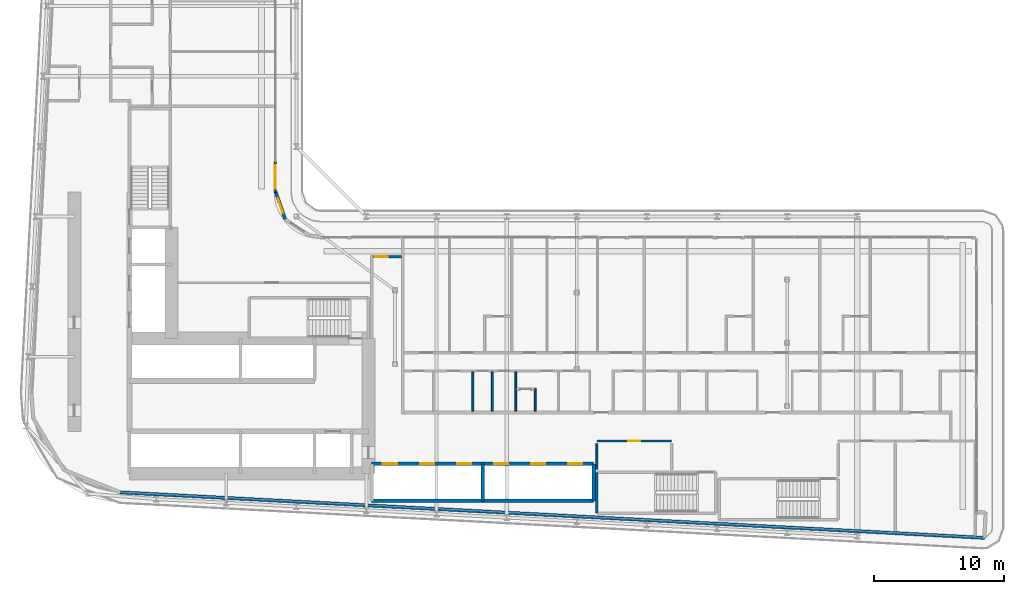
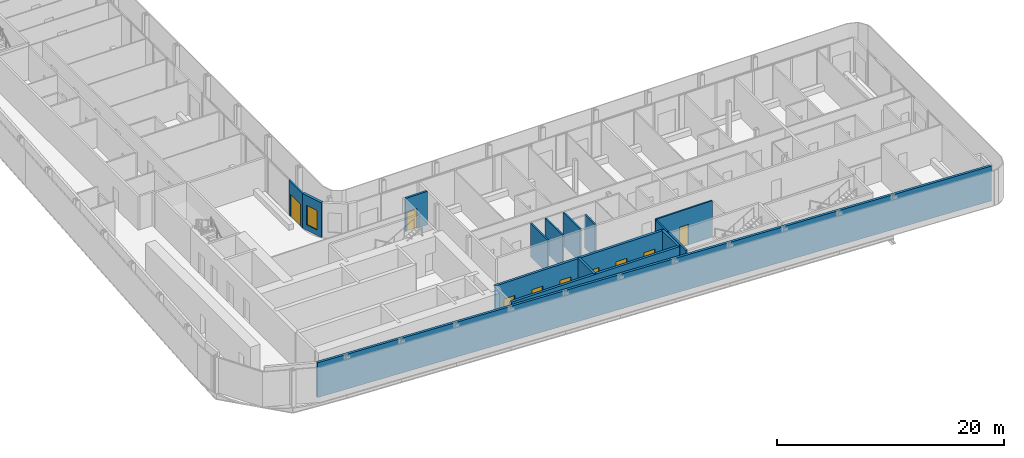
# One storey, part 15 of 29: 15 walls, 9 doors, 1 window, 10 openings.
"""IFC4 building model written with IfcOpenShell, lengths in metres."""

import ifcopenshell
import ifcopenshell.guid

model = None  # the IFC model being written
_history = None  # IfcOwnerHistory: only IFC2X3 demands one
_inside = {}  # id of a spatial element -> (the spatial element, [elements in it])
_under = {}  # id of a project, library or spatial element -> (it, [spatial elements below it])
_declared = {}  # id of a project -> (the project, [libraries it declares])
_typed = {}  # id of a type object -> (the type object, [elements of that type])
_made_of = {}  # id of a material, layer set ... -> (it, [elements and type objects made of it])


def new_model(schema):
    """Start an empty IFC model of exactly this schema.

    Asked for "IFC4X3", IfcOpenShell would pick the latest addendum, in which some entities
    have other attributes; the version numbers below select the first issue.
    IFC2X3 requires an IfcOwnerHistory on every rooted entity: one is made here for all.
    """
    global model, _history
    if schema == "IFC4X3":
        model = ifcopenshell.file(schema_version=(4, 3, 0, 0))
    else:
        model = ifcopenshell.file(schema=schema)
    _inside.clear()
    _under.clear()
    _declared.clear()
    _typed.clear()
    _made_of.clear()
    _history = None
    if model.schema == "IFC2X3":
        org = make("IfcOrganization", Name="unknown")
        user = make(
            "IfcPersonAndOrganization",
            ThePerson=make("IfcPerson", FamilyName="unknown"),
            TheOrganization=org,
        )
        app = make(
            "IfcApplication",
            ApplicationDeveloper=org,
            Version="unknown",
            ApplicationFullName="unknown",
            ApplicationIdentifier="unknown",
        )
        _history = make(
            "IfcOwnerHistory",
            OwningUser=user,
            OwningApplication=app,
            ChangeAction="ADDED",
            CreationDate=0,
        )
    return model


def make(cls, **values):
    """One entity of the class cls with the attributes given. An attribute that is None is left unset."""
    return model.create_entity(
        cls, **{name: value for name, value in values.items() if value is not None}
    )


def rooted(cls, **values):
    """An entity with a GlobalId (a new one), such as an element, a storey or a relation."""
    return make(cls, GlobalId=ifcopenshell.guid.new(), OwnerHistory=_history, **values)


def si_unit(unit_type, name, prefix=None):
    """IfcSIUnit, for example si_unit("LENGTHUNIT", "METRE", prefix="MILLI")."""
    return make("IfcSIUnit", UnitType=unit_type, Prefix=prefix, Name=name)


def assignment(units):
    """IfcUnitAssignment: the units of a project."""
    return None if units is None else make("IfcUnitAssignment", Units=units)


def point(xyz):
    """IfcCartesianPoint."""
    return None if xyz is None else make("IfcCartesianPoint", Coordinates=xyz)


def direction(xyz):
    """IfcDirection."""
    return None if xyz is None else make("IfcDirection", DirectionRatios=xyz)


def frame(location, z_axis=None, x_axis=None):
    """IfcAxis2Placement3D, a coordinate frame: its origin and axes. An axis left out is left unset."""
    return make(
        "IfcAxis2Placement3D",
        Location=point(location),
        Axis=direction(z_axis),
        RefDirection=direction(x_axis),
    )


def frame_2d(location, x_axis=None):
    """IfcAxis2Placement2D, a coordinate frame in the plane: its origin and x axis."""
    return make(
        "IfcAxis2Placement2D", Location=point(location), RefDirection=direction(x_axis)
    )


def origin():
    """The frame at (0, 0, 0) with its axes left unset."""
    return frame((0.0, 0.0, 0.0))


def place(relative_to, where):
    """IfcLocalPlacement: puts the frame where relative to a parent placement (None: the world)."""
    return make(
        "IfcLocalPlacement", PlacementRelTo=relative_to, RelativePlacement=where
    )


def context(
    kind, dimensions, precision=None, world=None, true_north=None, identifier=None
):
    """IfcGeometricRepresentationContext, for example the 3D "Model" context."""
    return make(
        "IfcGeometricRepresentationContext",
        ContextIdentifier=identifier,
        ContextType=kind,
        CoordinateSpaceDimension=dimensions,
        Precision=precision,
        WorldCoordinateSystem=world,
        TrueNorth=true_north,
    )


def subcontext(parent, identifier, kind, view, scale=None):
    """IfcGeometricRepresentationSubContext, for example "Body" below "Model"."""
    return make(
        "IfcGeometricRepresentationSubContext",
        ContextIdentifier=identifier,
        ContextType=kind,
        ParentContext=parent,
        TargetScale=scale,
        TargetView=view,
    )


def project(units=None, contexts=None):
    """IfcProject with its units and contexts."""
    return rooted(
        "IfcProject",
        Name="project",
        RepresentationContexts=contexts,
        UnitsInContext=assignment(units),
    )


def spatial(cls, under=None, at=None, **own):
    """A site, building, storey or space (cls), placed at a placement, below another one or the project."""
    s = rooted(cls, ObjectPlacement=at, **own)
    if under is not None:
        _under.setdefault(under.id(), (under, []))[1].append(s)
    return s


def profile(cls, at=None, kind="AREA", **sizes):
    """A parametric profile (cls). Its sizes go by their IFC names, for example OverallWidth=200.0."""
    return make(cls, ProfileType=kind, Position=at, **sizes)


def rectangle(**sizes):
    """IfcRectangleProfileDef."""
    return profile("IfcRectangleProfileDef", **sizes)


def extrude(swept, where, along, depth):
    """IfcExtrudedAreaSolid: the profile swept, set in the frame where, extruded along a direction by depth."""
    return make(
        "IfcExtrudedAreaSolid",
        SweptArea=swept,
        Position=where,
        ExtrudedDirection=direction(along),
        Depth=depth,
    )


def shape(context_of_items, identifier, shape_type, items):
    """IfcShapeRepresentation: the items that make up one representation, for example the "Body"."""
    return make(
        "IfcShapeRepresentation",
        ContextOfItems=context_of_items,
        RepresentationIdentifier=identifier,
        RepresentationType=shape_type,
        Items=items,
    )


def source(mapping_origin, context_of_items, identifier, shape_type, items):
    """IfcRepresentationMap: a shape defined once, which mapped items show again and again."""
    return make(
        "IfcRepresentationMap",
        MappingOrigin=mapping_origin,
        MappedRepresentation=shape(context_of_items, identifier, shape_type, items),
    )


def transform(
    local_origin,
    x_axis=None,
    y_axis=None,
    z_axis=None,
    scale=None,
    scale2=None,
    scale3=None,
    uniform=True,
):
    """IfcCartesianTransformationOperator3D, or its non-uniform kind. x_axis, y_axis, z_axis: its Axis1, 2, 3."""
    if uniform:
        return make(
            "IfcCartesianTransformationOperator3D",
            Axis1=direction(x_axis),
            Axis2=direction(y_axis),
            LocalOrigin=point(local_origin),
            Scale=scale,
            Axis3=direction(z_axis),
        )
    return make(
        "IfcCartesianTransformationOperator3DnonUniform",
        Axis1=direction(x_axis),
        Axis2=direction(y_axis),
        LocalOrigin=point(local_origin),
        Scale=scale,
        Axis3=direction(z_axis),
        Scale2=scale2,
        Scale3=scale3,
    )


def mapped(mapping_source, mapping_target):
    """IfcMappedItem: shows the shape of a source again, moved by a transform."""
    return make(
        "IfcMappedItem", MappingSource=mapping_source, MappingTarget=mapping_target
    )


def material(Name=None, Category=None):
    """IfcMaterial."""
    return make("IfcMaterial", Name=Name, Category=Category)


def layer(
    of_material, thickness, ventilated=None, Name=None, Category=None, Priority=None
):
    """IfcMaterialLayer: one layer of a wall or slab, of a material (None: an air gap)."""
    return make(
        "IfcMaterialLayer",
        Material=of_material,
        LayerThickness=thickness,
        IsVentilated=ventilated,
        Name=Name,
        Category=Category,
        Priority=Priority,
    )


def layer_set(layers, Name=None):
    """IfcMaterialLayerSet."""
    return make("IfcMaterialLayerSet", MaterialLayers=layers, LayerSetName=Name)


def made_of(thing, what):
    """Note that an element or type object is made of a material, layer set ...; save() writes the relation."""
    if what is not None:
        _made_of.setdefault(what.id(), (what, []))[1].append(thing)
    return thing


def type_object(cls, material=None, **own):
    """A type object (cls), such as IfcWallType, which elements share."""
    return made_of(rooted(cls, **own), material)


def element(
    cls,
    number,
    at=None,
    inside=None,
    cuts=None,
    type_object=None,
    material=None,
    context=None,
    identifier="Body",
    shape_type=None,
    held_by="IfcProductDefinitionShape",
    body=None,
    shapes=None,
    **own,
):
    """One element of the class cls, such as IfcWall. Its Tag is "e" and its number.

    at: its placement. inside: the storey or other place that contains it. cuts: it is an
    opening in that element (IfcRelVoidsElement). A single representation is given by context,
    identifier, shape_type and body (its items); several are given by shapes. held_by: the class
    of the entity that holds the representations. save() writes the other relations.
    """
    e = rooted(cls, Tag="e%d" % number, ObjectPlacement=at, **own)
    if body is not None:
        shapes = [shape(context, identifier, shape_type, body)]
    if shapes is not None:
        e.Representation = make(held_by, Representations=shapes)
    if inside is not None:
        _inside.setdefault(inside.id(), (inside, []))[1].append(e)
    if cuts is not None:
        rooted(
            "IfcRelVoidsElement", RelatingBuildingElement=cuts, RelatedOpeningElement=e
        )
    if type_object is not None:
        _typed.setdefault(type_object.id(), (type_object, []))[1].append(e)
    return made_of(e, material)


def fill(opening, filler):
    """IfcRelFillsElement: the door or window that sits in an opening."""
    return rooted(
        "IfcRelFillsElement",
        RelatingOpeningElement=opening,
        RelatedBuildingElement=filler,
    )


def aggregate(whole, parts):
    """IfcRelAggregates: a whole, such as a stair, and the parts it consists of."""
    return rooted("IfcRelAggregates", RelatingObject=whole, RelatedObjects=parts)


def save(model, path):
    """Write the relations noted so far, then the file.

    IfcRelAggregates (storeys below a building ...), IfcRelContainedInSpatialStructure (elements
    in a storey), IfcRelDefinesByType, IfcRelAssociatesMaterial and IfcRelDeclares: one each for
    every whole, place, type object, material and project.
    """
    for whole, parts in _under.values():
        aggregate(whole, parts)
    for where, things in _inside.values():
        rooted(
            "IfcRelContainedInSpatialStructure",
            RelatedElements=things,
            RelatingStructure=where,
        )
    for kind, things in _typed.values():
        rooted("IfcRelDefinesByType", RelatedObjects=things, RelatingType=kind)
    for what, things in _made_of.values():
        rooted("IfcRelAssociatesMaterial", RelatedObjects=things, RelatingMaterial=what)
    for by, libraries in _declared.values():
        rooted("IfcRelDeclares", RelatingContext=by, RelatedDefinitions=libraries)
    model.write(path)


model = new_model("IFC4")

# Units and contexts
model_context = context("Model", 3, precision=1e-05, world=origin(), true_north=direction((0.0, 1.0)))
body_context = subcontext(model_context, "Body", "Model", "MODEL_VIEW")
ifc_project = project(units=[si_unit("LENGTHUNIT", "METRE"), si_unit("AREAUNIT", "SQUARE_METRE"), si_unit("VOLUMEUNIT", "CUBIC_METRE"), si_unit("PLANEANGLEUNIT", "RADIAN"), si_unit("MASSUNIT", "GRAM", prefix="KILO")], contexts=[model_context])

# Site, building, storey
site_placement = place(None, origin())
site = spatial("IfcSite", under=ifc_project, at=site_placement, CompositionType="ELEMENT")
building_placement = place(site_placement, origin())
building = spatial("IfcBuilding", under=site, at=building_placement, Name="Kheshtan School and Residences Tower", CompositionType="ELEMENT")
storey_placement = place(building_placement, frame((0.0, 0.0, 69.5)))
storey = spatial("IfcBuildingStorey", under=building, at=storey_placement, Name="L16", CompositionType="ELEMENT", Elevation=69.5)

# Wall, opening, door
ifc_material_1 = material(Name="Gypsum board on steel studs with fire boards", Category="steel")
ifc_layer_1 = layer(ifc_material_1, 0.199951171875)
ifc_layer_set_1 = layer_set([ifc_layer_1], Name="Corridor wall 200")
wall_type_1 = type_object("IfcWallType", Name="Corridor wall 200", PredefinedType="PARTITIONING", material=ifc_layer_set_1)
wall_1_placement = place(storey_placement, frame((53.5, 42.5, 0.0), z_axis=(0.0, 0.0, 1.0), x_axis=(1.0, 0.0, 0.0)))
wall_1 = element("IfcWall", 1, at=wall_1_placement, inside=storey, type_object=wall_type_1, Name="Partition L16-039", PredefinedType="PARTITIONING", context=body_context, shape_type="SweptSolid", body=[
    extrude(rectangle(XDim=2.199951171875, YDim=0.199951171875, at=frame_2d((1.10009765625, 0.0))), origin(), (0.0, 0.0, 1.0), 3.60009765625),
])
opening_1_placement = place(wall_1_placement, frame((0.14990234375, 0.0, 0.0)))
opening_1 = element("IfcOpeningElement", 2, at=opening_1_placement, cuts=wall_1, Name="Opening D14-058", PredefinedType="OPENING", context=body_context, shape_type="SweptSolid", body=[
    extrude(rectangle(XDim=1.0, YDim=2.10009765625, at=frame_2d((0.5, 1.050048828125))), frame((0.0, 0.10986328125, 0.0), z_axis=(0.0, -1.0, 0.0), x_axis=(1.0, 0.0, 0.0)), (0.0, 0.0, 1.0), 0.219970703125),
])
ifc_material_2 = material(Name="Steel-framed fire-resisting door leaf", Category="steel")
door_type_1 = type_object("IfcDoorType", Name="Fire door FD60 1000 x 2100", OperationType="SINGLE_SWING_LEFT", PredefinedType="DOOR", material=ifc_material_2)
shared_shape_1 = source(origin(), body_context, "Body", "SweptSolid", [
    extrude(rectangle(XDim=1.0, YDim=2.10009765625, at=frame_2d((0.5, 1.050048828125))), frame((0.0, 0.02490234375, 0.0), z_axis=(0.0, -1.0, 0.0), x_axis=(1.0, 0.0, 0.0)), (0.0, 0.0, 1.0), 0.050048828125),
])
door_1_placement = place(opening_1_placement, origin())
door_1 = element("IfcDoor", 3, at=door_1_placement, inside=storey, type_object=door_type_1, Name="Door D14-058", OperationType="SINGLE_SWING_RIGHT", OverallHeight=2.10009765625, OverallWidth=1.0, PredefinedType="DOOR", context=body_context, shape_type="MappedRepresentation", body=[
    mapped(shared_shape_1, transform((0.0, 0.0, 0.0), x_axis=(1.0, 0.0, 0.0), y_axis=(0.0, 1.0, 0.0), z_axis=(0.0, 0.0, 1.0), scale=1.0)),
])
fill(opening_1, door_1)

# Wall, opening, window
ifc_material_3 = material(Name="Concrete C40/50 with ceramic cladding and mineral wool insulation", Category="concrete")
ifc_layer_2 = layer(ifc_material_3, 0.25)
ifc_layer_set_2 = layer_set([ifc_layer_2], Name="External wall 250 ceramic clad")
wall_type_2 = type_object("IfcWallType", Name="External wall 250 ceramic clad", PredefinedType="SOLIDWALL", material=ifc_layer_set_2)
wall_2_placement = place(storey_placement, frame((46.01806640625, 47.470947265625, 0.0), z_axis=(0.0, 0.0, 1.0), x_axis=(0.328791208903, -0.944402637093, 0.0)))
wall_2 = element("IfcWall", 4, at=wall_2_placement, inside=storey, type_object=wall_type_2, Name="External wall L16 9", PredefinedType="SOLIDWALL", context=body_context, shape_type="SweptSolid", body=[
    extrude(rectangle(XDim=2.20458984375, YDim=0.25, at=frame_2d((1.102294921875, 0.0))), origin(), (0.0, 0.0, 1.0), 3.75),
])
opening_2_placement = place(wall_2_placement, frame((0.5029296875, 0.0, 0.60009765625)))
opening_2 = element("IfcOpeningElement", 5, at=opening_2_placement, cuts=wall_2, Name="Opening WN-E", PredefinedType="OPENING", context=body_context, shape_type="SweptSolid", body=[
    extrude(rectangle(XDim=1.199951171875, YDim=2.10009765625, at=frame_2d((0.60009765625, 1.050048828125))), frame((0.0, 0.135009765625, 0.0), z_axis=(0.0, -1.0, 0.0), x_axis=(1.0, 0.0, 0.0)), (0.0, 0.0, 1.0), 0.27001953125),
])
ifc_material_4 = material(Name="Clear low-e glass in thermally broken aluminium frame", Category="aluminium")
window_type = type_object("IfcWindowType", Name="Window WN-E", PartitioningType="SINGLE_PANEL", PredefinedType="WINDOW", material=ifc_material_4)
shared_shape_2 = source(origin(), body_context, "Body", "SweptSolid", [
    extrude(rectangle(XDim=1.199951171875, YDim=2.10009765625, at=frame_2d((0.60009765625, 1.050048828125))), frame((0.0, 0.030029296875, 0.0), z_axis=(0.0, -1.0, 0.0), x_axis=(1.0, 0.0, 0.0)), (0.0, 0.0, 1.0), 0.06005859375),
])
window_placement = place(opening_2_placement, origin())
window = element("IfcWindow", 6, at=window_placement, inside=storey, type_object=window_type, Name="Window L16 9", OverallHeight=2.10009765625, OverallWidth=1.199951171875, PartitioningType="SINGLE_PANEL", PredefinedType="WINDOW", context=body_context, shape_type="MappedRepresentation", body=[
    mapped(shared_shape_2, transform((0.0, 0.0, 0.0), x_axis=(1.0, 0.0, 0.0), y_axis=(0.0, 1.0, 0.0), z_axis=(0.0, 0.0, 1.0), scale=1.0)),
])
fill(opening_2, window)

# Wall
wall_3_placement = place(storey_placement, frame((100.5859375, 20.85009765625, 0.0), z_axis=(0.0, 0.0, 1.0), x_axis=(-0.99861746497, 0.052565755559, 0.0)))
element("IfcWall", 7, at=wall_3_placement, inside=storey, type_object=wall_type_2, Name="External wall L16 16", PredefinedType="SOLIDWALL", context=body_context, shape_type="SweptSolid", body=[
    extrude(rectangle(XDim=66.638916015625, YDim=0.25, at=frame_2d((33.3193359375, 0.0))), origin(), (0.0, 0.0, 1.0), 3.75),
])

# Wall, opening, door
ifc_material_5 = material(Name="Aluminium frame wall with insulated infill", Category="aluminium")
ifc_layer_3 = layer(ifc_material_5, 0.14990234375)
ifc_layer_set_3 = layer_set([ifc_layer_3], Name="Glazing frame wall 150")
wall_type_3 = type_object("IfcWallType", Name="Glazing frame wall 150", PredefinedType="SOLIDWALL", material=ifc_layer_set_3)
wall_4_placement = place(storey_placement, frame((45.97509765625, 49.830078125, 0.0), z_axis=(0.0, 0.0, 1.0), x_axis=(0.0, -1.0, 0.0)))
wall_4 = element("IfcWall", 8, at=wall_4_placement, inside=storey, type_object=wall_type_3, Name="Balcony door wall L16 8.5", PredefinedType="SOLIDWALL", context=body_context, shape_type="SweptSolid", body=[
    extrude(rectangle(XDim=2.400146484375, YDim=0.14990234375, at=frame_2d((1.2001953125, 0.0))), origin(), (0.0, 0.0, 1.0), 3.75),
])
opening_3_placement = place(wall_4_placement, frame((0.300048828125, 0.0, 0.0)))
opening_3 = element("IfcOpeningElement", 9, at=opening_3_placement, cuts=wall_4, Name="Opening BD", PredefinedType="OPENING", context=body_context, shape_type="SweptSolid", body=[
    extrude(rectangle(XDim=1.800048828125, YDim=2.39990234375, at=frame_2d((0.89990234375, 1.199951171875))), frame((0.0, 0.0849609375, 0.0), z_axis=(0.0, -1.0, 0.0), x_axis=(1.0, 0.0, 0.0)), (0.0, 0.0, 1.0), 0.169921875),
])
door_type_2 = type_object("IfcDoorType", Name="Balcony sliding door", OperationType="SLIDING_TO_LEFT", PredefinedType="DOOR", material=ifc_material_4)
shared_shape_3 = source(origin(), body_context, "Body", "SweptSolid", [
    extrude(rectangle(XDim=1.800048828125, YDim=2.39990234375, at=frame_2d((0.89990234375, 1.199951171875))), frame((0.0, 0.02490234375, 0.0), z_axis=(0.0, -1.0, 0.0), x_axis=(1.0, 0.0, 0.0)), (0.0, 0.0, 1.0), 0.050048828125),
])
door_2_placement = place(opening_3_placement, origin())
door_2 = element("IfcDoor", 10, at=door_2_placement, inside=storey, type_object=door_type_2, Name="Balcony door L16 8.5", OperationType="SLIDING_TO_LEFT", OverallHeight=2.39990234375, OverallWidth=1.800048828125, PredefinedType="DOOR", context=body_context, shape_type="MappedRepresentation", body=[
    mapped(shared_shape_3, transform((0.0, 0.0, 0.0), x_axis=(1.0, 0.0, 0.0), y_axis=(0.0, 1.0, 0.0), z_axis=(0.0, 0.0, 1.0), scale=1.0)),
])
fill(opening_3, door_2)

ifc_material_6 = material(Name="Fire-board shaft wall system")
ifc_layer_4 = layer(ifc_material_6, 0.14990234375)
ifc_layer_set_4 = layer_set([ifc_layer_4], Name="Service room wall 150")
wall_type_4 = type_object("IfcWallType", Name="Service room wall 150", PredefinedType="PARTITIONING", material=ifc_layer_set_4)
wall_5_placement = place(storey_placement, frame((70.75, 28.300048828125, 0.0), z_axis=(0.0, 0.0, 1.0), x_axis=(1.0, 0.0, 0.0)))
wall_5 = element("IfcWall", 11, at=wall_5_placement, inside=storey, type_object=wall_type_4, Name="Service room wall", PredefinedType="PARTITIONING", context=body_context, shape_type="SweptSolid", body=[
    extrude(rectangle(XDim=5.760009765625, YDim=0.14990234375, at=frame_2d((2.8798828125, 0.0))), origin(), (0.0, 0.0, 1.0), 3.89990234375),
])
opening_4_placement = place(wall_5_placement, frame((2.429931640625, 0.0, 0.0)))
opening_4 = element("IfcOpeningElement", 12, at=opening_4_placement, cuts=wall_5, Name="Opening SR90", PredefinedType="OPENING", context=body_context, shape_type="SweptSolid", body=[
    extrude(rectangle(XDim=0.89990234375, YDim=2.199951171875, at=frame_2d((0.449951171875, 1.10009765625))), frame((0.0, 0.0849609375, 0.0), z_axis=(0.0, -1.0, 0.0), x_axis=(1.0, 0.0, 0.0)), (0.0, 0.0, 1.0), 0.169921875),
])
ifc_material_7 = material(Name="Steel door leaf, galvanised", Category="steel")
door_type_3 = type_object("IfcDoorType", Name="Service room door 900 steel 90 min", OperationType="SINGLE_SWING_LEFT", PredefinedType="DOOR", material=ifc_material_7)
shared_shape_4 = source(origin(), body_context, "Body", "SweptSolid", [
    extrude(rectangle(XDim=0.89990234375, YDim=2.199951171875, at=frame_2d((0.449951171875, 1.10009765625))), frame((0.0, 0.02490234375, 0.0), z_axis=(0.0, -1.0, 0.0), x_axis=(1.0, 0.0, 0.0)), (0.0, 0.0, 1.0), 0.050048828125),
])
door_3_placement = place(opening_4_placement, origin())
door_3 = element("IfcDoor", 13, at=door_3_placement, inside=storey, type_object=door_type_3, Name="Service room door", OperationType="SINGLE_SWING_LEFT", OverallHeight=2.199951171875, OverallWidth=0.89990234375, PredefinedType="DOOR", context=body_context, shape_type="MappedRepresentation", body=[
    mapped(shared_shape_4, transform((0.0, 0.0, 0.0), x_axis=(1.0, 0.0, 0.0), y_axis=(0.0, 1.0, 0.0), z_axis=(0.0, 0.0, 1.0), scale=1.0)),
])
fill(opening_4, door_3)

# Walls
wall_6_placement = place(storey_placement, frame((70.75, 26.1201171875, 0.0), z_axis=(0.0, 0.0, 1.0), x_axis=(0.0, 1.0, 0.0)))
element("IfcWall", 14, at=wall_6_placement, inside=storey, type_object=wall_type_4, Name="Service room wall", PredefinedType="PARTITIONING", context=body_context, shape_type="SweptSolid", body=[
    extrude(rectangle(XDim=1.98486328125, YDim=0.14990234375, at=frame_2d((0.992431640625, 0.0))), origin(), (0.0, 0.0, 1.0), 3.89990234375),
])
ifc_layer_5 = layer(ifc_material_6, 0.25)
ifc_layer_set_5 = layer_set([ifc_layer_5], Name="Shaft lining wall 250")
wall_type_5 = type_object("IfcWallType", Name="Shaft lining wall 250", PredefinedType="PARTITIONING", material=ifc_layer_set_5)
for number, where, z_axis, x_axis, name in (
    (15, (61.949951171875, 23.699951171875, 0.0), (0.0, 0.0, 1.0), (0.0, 1.0, 0.0), "Shaft lining wall"),
    (16, (70.5, 23.699951171875, 0.0), (0.0, 0.0, 1.0), (0.0, 1.0, 0.0), "Shaft lining wall"),
):
    element("IfcWall", number, at=place(storey_placement, frame(where, z_axis=z_axis, x_axis=x_axis)), inside=storey, type_object=wall_type_5, Name=name, PredefinedType="PARTITIONING", context=body_context, shape_type="SweptSolid", body=[
        extrude(rectangle(XDim=2.85009765625, YDim=0.25, at=frame_2d((1.425048828125, 0.0))), origin(), (0.0, 0.0, 1.0), 3.89990234375),
    ])
wall_7_placement = place(storey_placement, frame((53.39990234375, 23.699951171875, 0.0), z_axis=(0.0, 0.0, 1.0), x_axis=(1.0, 0.0, 0.0)))
element("IfcWall", 17, at=wall_7_placement, inside=storey, type_object=wall_type_5, Name="Shaft lining wall", PredefinedType="PARTITIONING", context=body_context, shape_type="SweptSolid", body=[
    extrude(rectangle(XDim=17.10009765625, YDim=0.25, at=frame_2d((8.550048828125, 0.0))), origin(), (0.0, 0.0, 1.0), 3.89990234375),
])

# Wall, openings, doors
wall_8_placement = place(storey_placement, frame((53.39990234375, 26.550048828125, 0.0), z_axis=(0.0, 0.0, 1.0), x_axis=(1.0, 0.0, 0.0)))
wall_8 = element("IfcWall", 18, at=wall_8_placement, inside=storey, type_object=wall_type_5, Name="Shaft lining wall", PredefinedType="PARTITIONING", context=body_context, shape_type="SweptSolid", body=[
    extrude(rectangle(XDim=17.10009765625, YDim=0.25, at=frame_2d((8.550048828125, 0.0))), origin(), (0.0, 0.0, 1.0), 3.89990234375),
])
opening_5_placement = place(wall_8_placement, frame((0.875, 0.0, 0.0)))
opening_5 = element("IfcOpeningElement", 19, at=opening_5_placement, cuts=wall_8, Name="Opening LD", PredefinedType="OPENING", context=body_context, shape_type="SweptSolid", body=[
    extrude(rectangle(XDim=1.10009765625, YDim=2.199951171875, at=frame_2d((0.550048828125, 1.10009765625))), frame((0.0, 0.135009765625, 0.0), z_axis=(0.0, -1.0, 0.0), x_axis=(1.0, 0.0, 0.0)), (0.0, 0.0, 1.0), 0.27001953125),
])
opening_6_placement = place(wall_8_placement, frame((3.72509765625, 0.0, 0.0)))
opening_6 = element("IfcOpeningElement", 20, at=opening_6_placement, cuts=wall_8, Name="Opening LD", PredefinedType="OPENING", context=body_context, shape_type="SweptSolid", body=[
    extrude(rectangle(XDim=1.10009765625, YDim=2.199951171875, at=frame_2d((0.550048828125, 1.10009765625))), frame((0.0, 0.135009765625, 0.0), z_axis=(0.0, -1.0, 0.0), x_axis=(1.0, 0.0, 0.0)), (0.0, 0.0, 1.0), 0.27001953125),
])
opening_7_placement = place(wall_8_placement, frame((6.574951171875, 0.0, 0.0)))
opening_7 = element("IfcOpeningElement", 21, at=opening_7_placement, cuts=wall_8, Name="Opening LD", PredefinedType="OPENING", context=body_context, shape_type="SweptSolid", body=[
    extrude(rectangle(XDim=1.10009765625, YDim=2.199951171875, at=frame_2d((0.550048828125, 1.10009765625))), frame((0.0, 0.135009765625, 0.0), z_axis=(0.0, -1.0, 0.0), x_axis=(1.0, 0.0, 0.0)), (0.0, 0.0, 1.0), 0.27001953125),
])
opening_8_placement = place(wall_8_placement, frame((9.425048828125, 0.0, 0.0)))
opening_8 = element("IfcOpeningElement", 22, at=opening_8_placement, cuts=wall_8, Name="Opening LD", PredefinedType="OPENING", context=body_context, shape_type="SweptSolid", body=[
    extrude(rectangle(XDim=1.10009765625, YDim=2.199951171875, at=frame_2d((0.550048828125, 1.10009765625))), frame((0.0, 0.135009765625, 0.0), z_axis=(0.0, -1.0, 0.0), x_axis=(1.0, 0.0, 0.0)), (0.0, 0.0, 1.0), 0.27001953125),
])
opening_9_placement = place(wall_8_placement, frame((12.27490234375, 0.0, 0.0)))
opening_9 = element("IfcOpeningElement", 23, at=opening_9_placement, cuts=wall_8, Name="Opening LD", PredefinedType="OPENING", context=body_context, shape_type="SweptSolid", body=[
    extrude(rectangle(XDim=1.10009765625, YDim=2.199951171875, at=frame_2d((0.550048828125, 1.10009765625))), frame((0.0, 0.135009765625, 0.0), z_axis=(0.0, -1.0, 0.0), x_axis=(1.0, 0.0, 0.0)), (0.0, 0.0, 1.0), 0.27001953125),
])
opening_10_placement = place(wall_8_placement, frame((15.125, 0.0, 0.0)))
opening_10 = element("IfcOpeningElement", 24, at=opening_10_placement, cuts=wall_8, Name="Opening LD", PredefinedType="OPENING", context=body_context, shape_type="SweptSolid", body=[
    extrude(rectangle(XDim=1.10009765625, YDim=2.199951171875, at=frame_2d((0.550048828125, 1.10009765625))), frame((0.0, 0.135009765625, 0.0), z_axis=(0.0, -1.0, 0.0), x_axis=(1.0, 0.0, 0.0)), (0.0, 0.0, 1.0), 0.27001953125),
])
ifc_material_8 = material(Name="Stainless steel door leaves", Category="steel")
door_type_4 = type_object("IfcDoorType", Name="Lift landing door 1100", OperationType="SLIDING_TO_LEFT", PredefinedType="DOOR", material=ifc_material_8)
shared_shape_5 = source(origin(), body_context, "Body", "SweptSolid", [
    extrude(rectangle(XDim=1.10009765625, YDim=2.199951171875, at=frame_2d((0.550048828125, 1.10009765625))), frame((0.0, 0.02490234375, 0.0), z_axis=(0.0, -1.0, 0.0), x_axis=(1.0, 0.0, 0.0)), (0.0, 0.0, 1.0), 0.050048828125),
])
door_4_placement = place(opening_5_placement, origin())
door_4 = element("IfcDoor", 25, at=door_4_placement, inside=storey, type_object=door_type_4, Name="Lift P1 landing door", OperationType="SLIDING_TO_LEFT", OverallHeight=2.199951171875, OverallWidth=1.10009765625, PredefinedType="DOOR", context=body_context, shape_type="MappedRepresentation", body=[
    mapped(shared_shape_5, transform((0.0, 0.0, 0.0), x_axis=(1.0, 0.0, 0.0), y_axis=(0.0, 1.0, 0.0), z_axis=(0.0, 0.0, 1.0), scale=1.0)),
])
fill(opening_5, door_4)
door_5_placement = place(opening_6_placement, origin())
door_5 = element("IfcDoor", 26, at=door_5_placement, inside=storey, type_object=door_type_4, Name="Lift P2 landing door", OperationType="SLIDING_TO_LEFT", OverallHeight=2.199951171875, OverallWidth=1.10009765625, PredefinedType="DOOR", context=body_context, shape_type="MappedRepresentation", body=[
    mapped(shared_shape_5, transform((0.0, 0.0, 0.0), x_axis=(1.0, 0.0, 0.0), y_axis=(0.0, 1.0, 0.0), z_axis=(0.0, 0.0, 1.0), scale=1.0)),
])
fill(opening_6, door_5)
door_6_placement = place(opening_7_placement, origin())
door_6 = element("IfcDoor", 27, at=door_6_placement, inside=storey, type_object=door_type_4, Name="Lift P3 landing door", OperationType="SLIDING_TO_LEFT", OverallHeight=2.199951171875, OverallWidth=1.10009765625, PredefinedType="DOOR", context=body_context, shape_type="MappedRepresentation", body=[
    mapped(shared_shape_5, transform((0.0, 0.0, 0.0), x_axis=(1.0, 0.0, 0.0), y_axis=(0.0, 1.0, 0.0), z_axis=(0.0, 0.0, 1.0), scale=1.0)),
])
fill(opening_7, door_6)
door_7_placement = place(opening_8_placement, origin())
door_7 = element("IfcDoor", 28, at=door_7_placement, inside=storey, type_object=door_type_4, Name="Lift P4 landing door", OperationType="SLIDING_TO_LEFT", OverallHeight=2.199951171875, OverallWidth=1.10009765625, PredefinedType="DOOR", context=body_context, shape_type="MappedRepresentation", body=[
    mapped(shared_shape_5, transform((0.0, 0.0, 0.0), x_axis=(1.0, 0.0, 0.0), y_axis=(0.0, 1.0, 0.0), z_axis=(0.0, 0.0, 1.0), scale=1.0)),
])
fill(opening_8, door_7)
door_8_placement = place(opening_9_placement, origin())
door_8 = element("IfcDoor", 29, at=door_8_placement, inside=storey, type_object=door_type_4, Name="Lift P5 landing door", OperationType="SLIDING_TO_LEFT", OverallHeight=2.199951171875, OverallWidth=1.10009765625, PredefinedType="DOOR", context=body_context, shape_type="MappedRepresentation", body=[
    mapped(shared_shape_5, transform((0.0, 0.0, 0.0), x_axis=(1.0, 0.0, 0.0), y_axis=(0.0, 1.0, 0.0), z_axis=(0.0, 0.0, 1.0), scale=1.0)),
])
fill(opening_9, door_8)
door_9_placement = place(opening_10_placement, origin())
door_9 = element("IfcDoor", 30, at=door_9_placement, inside=storey, type_object=door_type_4, Name="Lift P6 landing door", OperationType="SLIDING_TO_LEFT", OverallHeight=2.199951171875, OverallWidth=1.10009765625, PredefinedType="DOOR", context=body_context, shape_type="MappedRepresentation", body=[
    mapped(shared_shape_5, transform((0.0, 0.0, 0.0), x_axis=(1.0, 0.0, 0.0), y_axis=(0.0, 1.0, 0.0), z_axis=(0.0, 0.0, 1.0), scale=1.0)),
])
fill(opening_10, door_9)

# Walls
ifc_material_9 = material(Name="Concrete C40/50", Category="concrete")
ifc_layer_6 = layer(ifc_material_9, 0.199951171875)
ifc_layer_set_6 = layer_set([ifc_layer_6], Name="Stair enclosure wall 200 Concrete C40/50")
wall_type_6 = type_object("IfcWallType", Name="Stair enclosure wall 200 Concrete C40/50", PredefinedType="SHEAR", material=ifc_layer_set_6)
wall_9_placement = place(storey_placement, frame((70.75, 22.75, 0.0), z_axis=(0.0, 0.0, 1.0), x_axis=(0.0, 1.0, 0.0)))
element("IfcWall", 31, at=wall_9_placement, inside=storey, type_object=wall_type_6, Name="Stair enclosure wall ST5", PredefinedType="SHEAR", context=body_context, shape_type="SweptSolid", body=[
    extrude(rectangle(XDim=3.14990234375, YDim=0.199951171875, at=frame_2d((1.574951171875, 0.0))), origin(), (0.0, 0.0, 1.0), 3.89990234375),
])
ifc_material_10 = material(Name="Moisture-resistant gypsum board on steel studs", Category="steel")
ifc_layer_7 = layer(ifc_material_10, 0.14990234375)
ifc_layer_set_7 = layer_set([ifc_layer_7], Name="Wet-room partition 150")
wall_type_7 = type_object("IfcWallType", Name="Wet-room partition 150", PredefinedType="PARTITIONING", material=ifc_layer_set_7)
for number, where, z_axis, x_axis, name in (
    (32, (61.199951171875, 30.60009765625, 0.0), (0.0, 0.0, 1.0), (0.0, 1.0, 0.0), "Partition L16-046"),
    (33, (62.699951171875, 30.60009765625, 0.0), (0.0, 0.0, 1.0), (0.0, 1.0, 0.0), "Partition L16-049"),
    (34, (64.5, 30.60009765625, 0.0), (0.0, 0.0, 1.0), (0.0, 1.0, 0.0), "Partition L16-051"),
):
    element("IfcWall", number, at=place(storey_placement, frame(where, z_axis=z_axis, x_axis=x_axis)), inside=storey, type_object=wall_type_7, Name=name, PredefinedType="PARTITIONING", context=body_context, shape_type="SweptSolid", body=[
        extrude(rectangle(XDim=3.02490234375, YDim=0.14990234375, at=frame_2d((1.512451171875, 0.0))), origin(), (0.0, 0.0, 1.0), 3.60009765625),
    ])
wall_10_placement = place(storey_placement, frame((66.0, 30.60009765625, 0.0), z_axis=(0.0, 0.0, 1.0), x_axis=(0.0, 1.0, 0.0)))
element("IfcWall", 35, at=wall_10_placement, inside=storey, type_object=wall_type_7, Name="Partition L16-053", PredefinedType="PARTITIONING", context=body_context, shape_type="SweptSolid", body=[
    extrude(rectangle(XDim=1.77490234375, YDim=0.14990234375, at=frame_2d((0.887451171875, 0.0))), origin(), (0.0, 0.0, 1.0), 3.60009765625),
])

save(model, "model.ifc")
